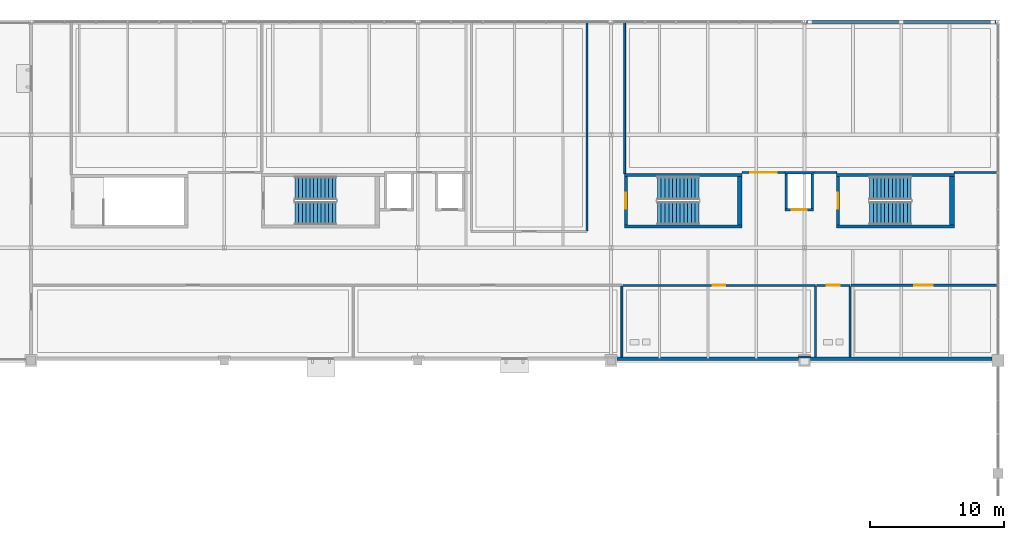
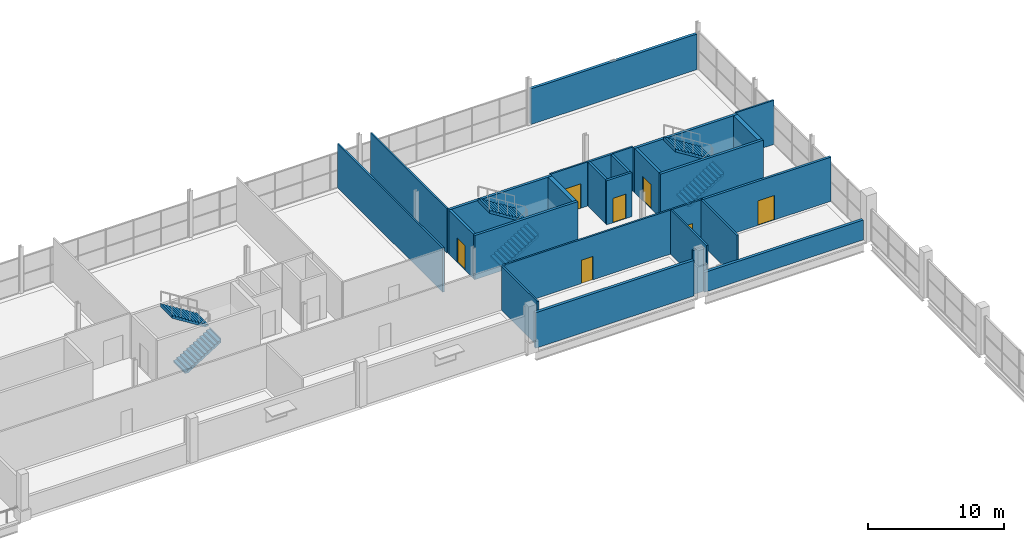
# One storey, part 59 of 68: 27 walls, 7 doors, 6 stair flights, 7 openings, 3 elements without a shape of their own.
"""IFC4 building model written with IfcOpenShell, lengths in metres."""

from ifc_helpers import new_model, si_unit, direction, frame, frame_2d, origin, place, context, subcontext, project, spatial, polyline, rectangle, outline, extrude, material, layer, layer_set, type_object, element, fill, aggregate, save


model = new_model("IFC4")

# Units and contexts
model_context = context("Model", 3, precision=1e-05, world=origin(), true_north=direction((0.0, 1.0)))
body_context = subcontext(model_context, "Body", "Model", "MODEL_VIEW")
ifc_project = project(units=[si_unit("LENGTHUNIT", "METRE"), si_unit("AREAUNIT", "SQUARE_METRE"), si_unit("VOLUMEUNIT", "CUBIC_METRE"), si_unit("PLANEANGLEUNIT", "RADIAN"), si_unit("MASSUNIT", "GRAM", prefix="KILO"), si_unit("THERMODYNAMICTEMPERATUREUNIT", "KELVIN")], contexts=[model_context])

# Site, building, storey
site_placement = place(None, origin())
site = spatial("IfcSite", under=ifc_project, at=site_placement, CompositionType="ELEMENT")
building_placement = place(site_placement, origin())
building = spatial("IfcBuilding", under=site, at=building_placement, Name="Nduvali Passage Aquatics Centre", CompositionType="ELEMENT")
storey_placement = place(building_placement, frame((0.0, 0.0, 13.199951171875)))
storey = spatial("IfcBuildingStorey", under=building, at=storey_placement, Name="L03", CompositionType="ELEMENT", Elevation=13.199951171875)

# Walls
ifc_material_1 = material(Name="Precast concrete C40/50", Category="concrete")
ifc_layer_1 = layer(ifc_material_1, 0.239990234375, Name="Precast concrete C40/50")
ifc_layer_set_1 = layer_set([ifc_layer_1], Name="Precast concrete C40/50")
wall_type_1 = type_object("IfcWallType", Name="ENV-WAL-SPAND240", PredefinedType="STANDARD", material=ifc_layer_set_1)
wall_1_placement = place(storey_placement, frame((125.85009765625, 117.60009765625, 0.0), z_axis=(0.0, 0.0, 1.0), x_axis=(-1.0, 0.0, 0.0)))
element("IfcWall", 1, at=wall_1_placement, inside=storey, type_object=wall_type_1, Name="L03 North Avenue Civic Facade 0071", PredefinedType="STANDARD", context=body_context, shape_type="SweptSolid", body=[
    extrude(rectangle(XDim=14.10009765625, YDim=0.239990234375, at=frame_2d((7.050048828125, 0.0))), origin(), (0.0, 0.0, 1.0), 3.203857421875),
])
wall_2_placement = place(storey_placement, frame((97.64990234375, 92.530029296875, 0.0), z_axis=(0.0, 0.0, 1.0), x_axis=(1.0, 0.0, 0.0)))
element("IfcWall", 2, at=wall_2_placement, inside=storey, type_object=wall_type_1, Name="L03 North Wing South High Overlook Wall 0078", PredefinedType="STANDARD", context=body_context, shape_type="SweptSolid", body=[
    extrude(rectangle(XDim=13.5, YDim=0.239990234375, at=frame_2d((6.75, 0.0))), origin(), (0.0, 0.0, 1.0), 3.203857421875),
])
wall_3_placement = place(storey_placement, frame((112.050048828125, 92.530029296875, 0.0), z_axis=(0.0, 0.0, 1.0), x_axis=(1.0, 0.0, 0.0)))
element("IfcWall", 3, at=wall_3_placement, inside=storey, type_object=wall_type_1, Name="L03 North Wing South High Overlook Wall 0079", PredefinedType="STANDARD", context=body_context, shape_type="SweptSolid", body=[
    extrude(rectangle(XDim=13.5, YDim=0.239990234375, at=frame_2d((6.75, 0.0))), origin(), (0.0, 0.0, 1.0), 1.7900390625),
])

# Wall, opening, door
ifc_material_2 = material(Name="Coral-stone masonry blockwork", Category="masonry")
ifc_layer_2 = layer(ifc_material_2, 0.199951171875, Name="Coral-stone masonry blockwork")
ifc_layer_set_2 = layer_set([ifc_layer_2], Name="Coral-stone masonry blockwork")
wall_type_2 = type_object("IfcWallType", Name="INT-WAL-COMP200", PredefinedType="PARTITIONING", material=ifc_layer_set_2)
wall_4_placement = place(storey_placement, frame((115.074951171875, 98.0, 0.0), z_axis=(0.0, 0.0, 1.0), x_axis=(1.0, 0.0, 0.0)))
wall_4 = element("IfcWall", 4, at=wall_4_placement, inside=storey, type_object=wall_type_2, Name="L03 Competition Records Archive and IT Server Room Partition 0228", PredefinedType="PARTITIONING", context=body_context, shape_type="SweptSolid", body=[
    extrude(rectangle(XDim=10.905029296875, YDim=0.199951171875, at=frame_2d((5.45263671875, 0.0))), origin(), (0.0, 0.0, 1.0), 3.969970703125),
])
opening_1_placement = place(wall_4_placement, frame((4.681884765625, 0.0, 0.0)))
opening_1 = element("IfcOpeningElement", 5, at=opening_1_placement, cuts=wall_4, Name="Opening FD-P1", PredefinedType="OPENING", context=body_context, shape_type="SweptSolid", body=[
    extrude(rectangle(XDim=1.39990234375, YDim=2.199951171875, at=frame_2d((0.699951171875, 1.10009765625))), frame((0.0, 0.11474609375, 0.0), z_axis=(0.0, -1.0, 0.0), x_axis=(1.0, 0.0, 0.0)), (0.0, 0.0, 1.0), 0.229736328125),
])
ifc_material_3 = material(Name="Galvanised steel door", Category="steel")
door_type_1 = type_object("IfcDoorType", Name="INT-DR-PLNT140", OperationType="DOUBLE_DOOR_SINGLE_SWING", PredefinedType="DOOR", material=ifc_material_3)
door_1_placement = place(opening_1_placement, origin())
door_1 = element("IfcDoor", 6, at=door_1_placement, inside=storey, type_object=door_type_1, Name="L03 Competition Records Archive and IT Server Room Door 0078", OperationType="DOUBLE_DOOR_SINGLE_SWING", OverallHeight=2.199951171875, OverallWidth=1.39990234375, PredefinedType="DOOR", context=body_context, shape_type="SweptSolid", body=[
    extrude(rectangle(XDim=1.39990234375, YDim=2.199951171875, at=frame_2d((0.699951171875, 1.10009765625))), frame((0.0, 0.02490234375, 0.0), z_axis=(0.0, -1.0, 0.0), x_axis=(1.0, 0.0, 0.0)), (0.0, 0.0, 1.0), 0.050048828125),
])
fill(opening_1, door_1)

# Walls
ifc_material_4 = material(Name="Concrete C40/50", Category="concrete")
ifc_layer_3 = layer(ifc_material_4, 0.219970703125, Name="Concrete C40/50")
ifc_layer_set_3 = layer_set([ifc_layer_3], Name="Concrete C40/50")
wall_type_3 = type_object("IfcWallType", Name="INT-WAL-CORE220", PredefinedType="SOLIDWALL", material=ifc_layer_set_3)
for number, where, z_axis, x_axis, name in (
    (7, (113.97998046875, 102.389892578125, 0.0), (0.0, 0.0, 1.0), (1.0, 0.0, 0.0), "L03 Stair ST2 Core Wall S"),
    (8, (122.75, 106.199951171875, 0.0), (0.0, 0.0, 1.0), (-1.0, 0.0, 0.0), "L03 Stair ST2 Core Wall N"),
):
    element("IfcWall", number, at=place(storey_placement, frame(where, z_axis=z_axis, x_axis=x_axis)), inside=storey, type_object=wall_type_3, Name=name, PredefinedType="SOLIDWALL", context=body_context, shape_type="SweptSolid", body=[
        extrude(rectangle(XDim=8.77001953125, YDim=0.219970703125, at=frame_2d((4.385009765625, 0.0))), origin(), (0.0, 0.0, 1.0), 3.969970703125),
    ])

# Wall, opening, door
wall_5_placement = place(storey_placement, frame((114.090087890625, 106.090087890625, 0.0), z_axis=(0.0, 0.0, 1.0), x_axis=(0.0, -1.0, 0.0)))
wall_5 = element("IfcWall", 9, at=wall_5_placement, inside=storey, type_object=wall_type_3, Name="L03 Stair ST2 Core Wall W", PredefinedType="SOLIDWALL", context=body_context, shape_type="SweptSolid", body=[
    extrude(rectangle(XDim=3.590087890625, YDim=0.219970703125, at=frame_2d((1.794921875, 0.0))), origin(), (0.0, 0.0, 1.0), 3.969970703125),
])
opening_2_placement = place(wall_5_placement, frame((1.195068359375, 0.0, 0.0)))
opening_2 = element("IfcOpeningElement", 10, at=opening_2_placement, cuts=wall_5, Name="Opening FD-ST2", PredefinedType="OPENING", context=body_context, shape_type="SweptSolid", body=[
    extrude(rectangle(XDim=1.199951171875, YDim=2.199951171875, at=frame_2d((0.60009765625, 1.10009765625))), frame((0.0, 0.125, 0.0), z_axis=(0.0, -1.0, 0.0), x_axis=(1.0, 0.0, 0.0)), (0.0, 0.0, 1.0), 0.249755859375),
])
door_type_2 = type_object("IfcDoorType", Name="INT-DR-ST120", OperationType="NOTDEFINED", PredefinedType="DOOR", material=ifc_material_3)
door_2_placement = place(opening_2_placement, frame((1.199951171875, 0.0, 0.0), z_axis=(0.0, 0.0, 1.0), x_axis=(-1.0, 0.0, 0.0)))
door_2 = element("IfcDoor", 11, at=door_2_placement, inside=storey, type_object=door_type_2, Name="L03 Stair ST2 Fire Lobby Door", OperationType="SINGLE_SWING_RIGHT", OverallHeight=2.199951171875, OverallWidth=1.199951171875, PredefinedType="DOOR", context=body_context, shape_type="SweptSolid", body=[
    extrude(rectangle(XDim=1.199951171875, YDim=2.199951171875, at=frame_2d((0.60009765625, 1.10009765625))), frame((0.0, 0.02490234375, 0.0), z_axis=(0.0, -1.0, 0.0), x_axis=(1.0, 0.0, 0.0)), (0.0, 0.0, 1.0), 0.050048828125),
])
fill(opening_2, door_2)

# Walls
for number, where, z_axis, x_axis, name in (
    (12, (98.179931640625, 102.389892578125, 0.0), (0.0, 0.0, 1.0), (1.0, 0.0, 0.0), "L03 Stair ST11 Core Wall S"),
    (13, (106.949951171875, 106.199951171875, 0.0), (0.0, 0.0, 1.0), (-1.0, 0.0, 0.0), "L03 Stair ST11 Core Wall N"),
):
    element("IfcWall", number, at=place(storey_placement, frame(where, z_axis=z_axis, x_axis=x_axis)), inside=storey, type_object=wall_type_3, Name=name, PredefinedType="SOLIDWALL", context=body_context, shape_type="SweptSolid", body=[
        extrude(rectangle(XDim=8.77001953125, YDim=0.219970703125, at=frame_2d((4.385009765625, 0.0))), origin(), (0.0, 0.0, 1.0), 3.969970703125),
    ])

# Wall, opening, door
wall_6_placement = place(storey_placement, frame((98.2900390625, 106.090087890625, 0.0), z_axis=(0.0, 0.0, 1.0), x_axis=(0.0, -1.0, 0.0)))
wall_6 = element("IfcWall", 14, at=wall_6_placement, inside=storey, type_object=wall_type_3, Name="L03 Stair ST11 Core Wall W", PredefinedType="SOLIDWALL", context=body_context, shape_type="SweptSolid", body=[
    extrude(rectangle(XDim=3.590087890625, YDim=0.219970703125, at=frame_2d((1.794921875, 0.0))), origin(), (0.0, 0.0, 1.0), 3.969970703125),
])
opening_3_placement = place(wall_6_placement, frame((1.195068359375, 0.0, 0.0)))
opening_3 = element("IfcOpeningElement", 15, at=opening_3_placement, cuts=wall_6, Name="Opening FD-ST2", PredefinedType="OPENING", context=body_context, shape_type="SweptSolid", body=[
    extrude(rectangle(XDim=1.199951171875, YDim=2.199951171875, at=frame_2d((0.60009765625, 1.10009765625))), frame((0.0, 0.125, 0.0), z_axis=(0.0, -1.0, 0.0), x_axis=(1.0, 0.0, 0.0)), (0.0, 0.0, 1.0), 0.249755859375),
])
door_3_placement = place(opening_3_placement, frame((1.199951171875, 0.0, 0.0), z_axis=(0.0, 0.0, 1.0), x_axis=(-1.0, 0.0, 0.0)))
door_3 = element("IfcDoor", 16, at=door_3_placement, inside=storey, type_object=door_type_2, Name="L03 Stair ST11 Fire Lobby Door", OperationType="SINGLE_SWING_LEFT", OverallHeight=2.199951171875, OverallWidth=1.199951171875, PredefinedType="DOOR", context=body_context, shape_type="SweptSolid", body=[
    extrude(rectangle(XDim=1.199951171875, YDim=2.199951171875, at=frame_2d((0.60009765625, 1.10009765625))), frame((0.0, 0.02490234375, 0.0), z_axis=(0.0, -1.0, 0.0), x_axis=(1.0, 0.0, 0.0)), (0.0, 0.0, 1.0), 0.050048828125),
])
fill(opening_3, door_3)

# Wall
ifc_material_5 = material(Name="Gypsum acoustic stud partition")
ifc_layer_4 = layer(ifc_material_5, 0.139892578125, Name="Gypsum acoustic stud partition")
ifc_layer_set_4 = layer_set([ifc_layer_4], Name="Gypsum acoustic stud partition")
wall_type_4 = type_object("IfcWallType", Name="INT-WAL-PART140", PredefinedType="PARTITIONING", material=ifc_layer_set_4)
wall_7_placement = place(storey_placement, frame((95.39990234375, 102.070068359375, 0.0), z_axis=(0.0, 0.0, 1.0), x_axis=(0.0, 1.0, 0.0)))
element("IfcWall", 17, at=wall_7_placement, inside=storey, type_object=wall_type_4, Name="L03 Tanzania Aquatics Federation Administration Suite Partition 0211", PredefinedType="PARTITIONING", context=body_context, shape_type="SweptSolid", body=[
    extrude(rectangle(XDim=15.510009765625, YDim=0.139892578125, at=frame_2d((7.7548828125, 0.0))), origin(), (0.0, 0.0, 1.0), 3.969970703125),
])

# Wall, opening, door
wall_8_placement = place(storey_placement, frame((106.949951171875, 106.39990234375, 0.0), z_axis=(0.0, 0.0, 1.0), x_axis=(1.0, 0.0, 0.0)))
wall_8 = element("IfcWall", 18, at=wall_8_placement, inside=storey, type_object=wall_type_4, Name="L03 Youth Aquatic Academy Lecture Room Partition 0212", PredefinedType="PARTITIONING", context=body_context, shape_type="SweptSolid", body=[
    extrude(rectangle(XDim=3.179931640625, YDim=0.139892578125, at=frame_2d((1.58984375, 0.0))), origin(), (0.0, 0.0, 1.0), 3.969970703125),
])
opening_4_placement = place(wall_8_placement, frame((0.594970703125, 0.0, 0.0)))
opening_4 = element("IfcOpeningElement", 19, at=opening_4_placement, cuts=wall_8, Name="Opening ID5", PredefinedType="OPENING", context=body_context, shape_type="SweptSolid", body=[
    extrude(rectangle(XDim=2.0, YDim=2.199951171875, at=frame_2d((1.0, 1.10009765625))), frame((0.0, 0.0849609375, 0.0), z_axis=(0.0, -1.0, 0.0), x_axis=(1.0, 0.0, 0.0)), (0.0, 0.0, 1.0), 0.169677734375),
])
ifc_material_6 = material(Name="Aluminium-framed glazed door", Category="aluminium")
door_type_3 = type_object("IfcDoorType", Name="INT-DR-DBL200", OperationType="DOUBLE_DOOR_SINGLE_SWING", PredefinedType="DOOR", material=ifc_material_6)
door_4_placement = place(opening_4_placement, frame((2.0, 0.0, 0.0), z_axis=(0.0, 0.0, 1.0), x_axis=(-1.0, 0.0, 0.0)))
door_4 = element("IfcDoor", 20, at=door_4_placement, inside=storey, type_object=door_type_3, Name="L03 Youth Aquatic Academy Lecture Room Door 0073", OperationType="DOUBLE_DOOR_SINGLE_SWING", OverallHeight=2.199951171875, OverallWidth=2.0, PredefinedType="DOOR", context=body_context, shape_type="SweptSolid", body=[
    extrude(rectangle(XDim=2.0, YDim=2.199951171875, at=frame_2d((1.0, 1.10009765625))), frame((0.0, 0.02490234375, 0.0), z_axis=(0.0, -1.0, 0.0), x_axis=(1.0, 0.0, 0.0)), (0.0, 0.0, 1.0), 0.050048828125),
])
fill(opening_4, door_4)

# Walls
wall_9_placement = place(storey_placement, frame((112.27001953125, 106.39990234375, 0.0), z_axis=(0.0, 0.0, 1.0), x_axis=(1.0, 0.0, 0.0)))
element("IfcWall", 21, at=wall_9_placement, inside=storey, type_object=wall_type_4, Name="L03 Youth Aquatic Academy Lecture Room Partition 0213", PredefinedType="PARTITIONING", context=body_context, shape_type="SweptSolid", body=[
    extrude(rectangle(XDim=1.7099609375, YDim=0.139892578125, at=frame_2d((0.85498046875, 0.0))), origin(), (0.0, 0.0, 1.0), 3.969970703125),
])
wall_10_placement = place(storey_placement, frame((122.75, 106.39990234375, 0.0), z_axis=(0.0, 0.0, 1.0), x_axis=(1.0, 0.0, 0.0)))
element("IfcWall", 22, at=wall_10_placement, inside=storey, type_object=wall_type_4, Name="L03 Youth Aquatic Academy Lecture Room Partition 0214", PredefinedType="PARTITIONING", context=body_context, shape_type="SweptSolid", body=[
    extrude(rectangle(XDim=3.22998046875, YDim=0.139892578125, at=frame_2d((1.614990234375, 0.0))), origin(), (0.0, 0.0, 1.0), 3.969970703125),
])
wall_11_placement = place(storey_placement, frame((98.199951171875, 106.31005859375, 0.0), z_axis=(0.0, 0.0, 1.0), x_axis=(0.0, 1.0, 0.0)))
element("IfcWall", 23, at=wall_11_placement, inside=storey, type_object=wall_type_4, Name="L03 Youth Aquatic Academy Lecture Room Partition 0215", PredefinedType="PARTITIONING", context=body_context, shape_type="SweptSolid", body=[
    extrude(rectangle(XDim=11.27001953125, YDim=0.139892578125, at=frame_2d((5.635009765625, 0.0))), origin(), (0.0, 0.0, 1.0), 3.969970703125),
])
wall_12_placement = place(storey_placement, frame((98.0, 92.64990234375, 0.0), z_axis=(0.0, 0.0, 1.0), x_axis=(0.0, 1.0, 0.0)))
element("IfcWall", 24, at=wall_12_placement, inside=storey, type_object=wall_type_4, Name="L03 Championship Organising Committee Boardroom Partition 0222", PredefinedType="PARTITIONING", context=body_context, shape_type="SweptSolid", body=[
    extrude(rectangle(XDim=5.280029296875, YDim=0.139892578125, at=frame_2d((2.64013671875, 0.0))), origin(), (0.0, 0.0, 1.0), 3.969970703125),
])

# Wall, opening, door
ifc_layer_5 = layer(ifc_material_4, 0.18994140625, Name="Concrete C40/50")
ifc_layer_set_5 = layer_set([ifc_layer_5], Name="Concrete C40/50")
wall_type_5 = type_object("IfcWallType", Name="INT-WAL-SHAFT200", PredefinedType="SOLIDWALL", material=ifc_layer_set_5)
wall_13_placement = place(storey_placement, frame((110.1298828125, 103.625, 0.0), z_axis=(0.0, 0.0, 1.0), x_axis=(1.0, 0.0, 0.0)))
wall_13 = element("IfcWall", 25, at=wall_13_placement, inside=storey, type_object=wall_type_5, Name="L03 Lift L3 Shaft Wall S", PredefinedType="SOLIDWALL", context=body_context, shape_type="SweptSolid", body=[
    extrude(rectangle(XDim=2.14013671875, YDim=0.18994140625, at=frame_2d((1.070068359375, 0.0))), origin(), (0.0, 0.0, 1.0), 3.969970703125),
])
opening_5_placement = place(wall_13_placement, frame((0.52001953125, 0.0, 0.0)))
opening_5 = element("IfcOpeningElement", 26, at=opening_5_placement, cuts=wall_13, Name="Opening LD3", PredefinedType="OPENING", context=body_context, shape_type="SweptSolid", body=[
    extrude(rectangle(XDim=1.10009765625, YDim=2.199951171875, at=frame_2d((0.550048828125, 1.10009765625))), frame((0.0, 0.10986328125, 0.0), z_axis=(0.0, -1.0, 0.0), x_axis=(1.0, 0.0, 0.0)), (0.0, 0.0, 1.0), 0.2197265625),
])
ifc_material_7 = material(Name="Stainless steel landing door", Category="steel")
door_type_4 = type_object("IfcDoorType", Name="INT-DR-LD3", OperationType="DOUBLE_DOOR_SLIDING", PredefinedType="DOOR", material=ifc_material_7)
door_5_placement = place(opening_5_placement, origin())
door_5 = element("IfcDoor", 27, at=door_5_placement, inside=storey, type_object=door_type_4, Name="L03 Lift L3 Sliding Landing Door LD3", OperationType="DOUBLE_DOOR_SLIDING", OverallHeight=2.199951171875, OverallWidth=1.10009765625, PredefinedType="DOOR", context=body_context, shape_type="SweptSolid", body=[
    extrude(rectangle(XDim=1.10009765625, YDim=2.199951171875, at=frame_2d((0.550048828125, 1.10009765625))), frame((0.0, 0.02490234375, 0.0), z_axis=(0.0, -1.0, 0.0), x_axis=(1.0, 0.0, 0.0)), (0.0, 0.0, 1.0), 0.050048828125),
])
fill(opening_5, door_5)

# Walls
wall_14_placement = place(storey_placement, frame((112.175048828125, 103.719970703125, 0.0), z_axis=(0.0, 0.0, 1.0), x_axis=(0.0, 1.0, 0.0)))
element("IfcWall", 28, at=wall_14_placement, inside=storey, type_object=wall_type_5, Name="L03 Lift L3 Shaft Wall E", PredefinedType="SOLIDWALL", context=body_context, shape_type="SweptSolid", body=[
    extrude(rectangle(XDim=2.56005859375, YDim=0.18994140625, at=frame_2d((1.280029296875, 0.0))), origin(), (0.0, 0.0, 1.0), 3.969970703125),
])
wall_15_placement = place(storey_placement, frame((112.27001953125, 106.375, 0.0), z_axis=(0.0, 0.0, 1.0), x_axis=(-1.0, 0.0, 0.0)))
element("IfcWall", 29, at=wall_15_placement, inside=storey, type_object=wall_type_5, Name="L03 Lift L3 Shaft Wall N", PredefinedType="SOLIDWALL", context=body_context, shape_type="SweptSolid", body=[
    extrude(rectangle(XDim=2.14013671875, YDim=0.18994140625, at=frame_2d((1.070068359375, 0.0))), origin(), (0.0, 0.0, 1.0), 3.969970703125),
])
wall_16_placement = place(storey_placement, frame((110.22509765625, 106.280029296875, 0.0), z_axis=(0.0, 0.0, 1.0), x_axis=(0.0, -1.0, 0.0)))
element("IfcWall", 30, at=wall_16_placement, inside=storey, type_object=wall_type_5, Name="L03 Lift L3 Shaft Wall W", PredefinedType="SOLIDWALL", context=body_context, shape_type="SweptSolid", body=[
    extrude(rectangle(XDim=2.56005859375, YDim=0.18994140625, at=frame_2d((1.280029296875, 0.0))), origin(), (0.0, 0.0, 1.0), 3.969970703125),
])

# Wall, opening, door
ifc_layer_6 = layer(ifc_material_2, 0.14990234375, Name="Coral-stone masonry blockwork")
ifc_layer_set_6 = layer_set([ifc_layer_6], Name="Coral-stone masonry blockwork")
wall_type_6 = type_object("IfcWallType", Name="INT-WAL-WET150", PredefinedType="PLUMBINGWALL", material=ifc_layer_set_6)
wall_17_placement = place(storey_placement, frame((98.070068359375, 98.0, 0.0), z_axis=(0.0, 0.0, 1.0), x_axis=(1.0, 0.0, 0.0)))
wall_17 = element("IfcWall", 31, at=wall_17_placement, inside=storey, type_object=wall_type_6, Name="L03 L03 Teaching and Staff Toilets Partition 0223", PredefinedType="PLUMBINGWALL", context=body_context, shape_type="SweptSolid", body=[
    extrude(rectangle(XDim=14.329833984375, YDim=0.14990234375, at=frame_2d((7.1650390625, 0.0))), origin(), (0.0, 0.0, 1.0), 3.969970703125),
])
opening_6_placement = place(wall_17_placement, frame((6.68994140625, 0.0, 0.0)))
opening_6 = element("IfcOpeningElement", 32, at=opening_6_placement, cuts=wall_17, Name="Opening ID3", PredefinedType="OPENING", context=body_context, shape_type="SweptSolid", body=[
    extrude(rectangle(XDim=0.949951171875, YDim=2.10009765625, at=frame_2d((0.47509765625, 1.050048828125))), frame((0.0, 0.08984375, 0.0), z_axis=(0.0, -1.0, 0.0), x_axis=(1.0, 0.0, 0.0)), (0.0, 0.0, 1.0), 0.1796875),
])
ifc_material_8 = material(Name="Timber solid-core door", Category="wood")
door_type_5 = type_object("IfcDoorType", Name="INT-DR-WC95", OperationType="NOTDEFINED", PredefinedType="DOOR", material=ifc_material_8)
door_6_placement = place(opening_6_placement, origin())
door_6 = element("IfcDoor", 33, at=door_6_placement, inside=storey, type_object=door_type_5, Name="L03 L03 Teaching and Staff Toilets Door 0076", OperationType="SINGLE_SWING_LEFT", OverallHeight=2.10009765625, OverallWidth=0.949951171875, PredefinedType="DOOR", context=body_context, shape_type="SweptSolid", body=[
    extrude(rectangle(XDim=0.949951171875, YDim=2.10009765625, at=frame_2d((0.47509765625, 1.050048828125))), frame((0.0, 0.02490234375, 0.0), z_axis=(0.0, -1.0, 0.0), x_axis=(1.0, 0.0, 0.0)), (0.0, 0.0, 1.0), 0.050048828125),
])
fill(opening_6, door_6)

# Walls
wall_18_placement = place(storey_placement, frame((111.14990234375, 92.659912109375, 0.0), z_axis=(0.0, 0.0, 1.0), x_axis=(1.0, 0.0, 0.0)))
element("IfcWall", 34, at=wall_18_placement, inside=storey, type_object=wall_type_6, Name="L03 L03 Teaching and Staff Toilets Partition 0224", PredefinedType="PLUMBINGWALL", context=body_context, shape_type="SweptSolid", body=[
    extrude(rectangle(XDim=0.900146484375, YDim=0.14990234375, at=frame_2d((0.4501953125, 0.0))), origin(), (0.0, 0.0, 1.0), 3.969970703125),
])
wall_19_placement = place(storey_placement, frame((112.39990234375, 92.64990234375, 0.0), z_axis=(0.0, 0.0, 1.0), x_axis=(0.0, 1.0, 0.0)))
element("IfcWall", 35, at=wall_19_placement, inside=storey, type_object=wall_type_6, Name="L03 L03 Teaching and Staff Toilets Partition 0225", PredefinedType="PLUMBINGWALL", context=body_context, shape_type="SweptSolid", body=[
    extrude(rectangle(XDim=5.275146484375, YDim=0.14990234375, at=frame_2d((2.6376953125, 0.0))), origin(), (0.0, 0.0, 1.0), 3.969970703125),
])

# Wall, opening, door
wall_20_placement = place(storey_placement, frame((112.47509765625, 98.0, 0.0), z_axis=(0.0, 0.0, 1.0), x_axis=(1.0, 0.0, 0.0)))
wall_20 = element("IfcWall", 36, at=wall_20_placement, inside=storey, type_object=wall_type_6, Name="L03 L03 Accessible WC Partition 0226", PredefinedType="PLUMBINGWALL", context=body_context, shape_type="SweptSolid", body=[
    extrude(rectangle(XDim=2.52490234375, YDim=0.14990234375, at=frame_2d((1.262451171875, 0.0))), origin(), (0.0, 0.0, 1.0), 3.969970703125),
])
opening_7_placement = place(wall_20_placement, frame((0.787109375, 0.0, 0.0)))
opening_7 = element("IfcOpeningElement", 37, at=opening_7_placement, cuts=wall_20, Name="Opening ID3", PredefinedType="OPENING", context=body_context, shape_type="SweptSolid", body=[
    extrude(rectangle(XDim=0.949951171875, YDim=2.10009765625, at=frame_2d((0.47509765625, 1.050048828125))), frame((0.0, 0.08984375, 0.0), z_axis=(0.0, -1.0, 0.0), x_axis=(1.0, 0.0, 0.0)), (0.0, 0.0, 1.0), 0.1796875),
])
door_7_placement = place(opening_7_placement, frame((0.949951171875, 0.0, 0.0), z_axis=(0.0, 0.0, 1.0), x_axis=(-1.0, 0.0, 0.0)))
door_7 = element("IfcDoor", 38, at=door_7_placement, inside=storey, type_object=door_type_5, Name="L03 L03 Accessible WC Door 0077", OperationType="SINGLE_SWING_RIGHT", OverallHeight=2.10009765625, OverallWidth=0.949951171875, PredefinedType="DOOR", context=body_context, shape_type="SweptSolid", body=[
    extrude(rectangle(XDim=0.949951171875, YDim=2.10009765625, at=frame_2d((0.47509765625, 1.050048828125))), frame((0.0, 0.02490234375, 0.0), z_axis=(0.0, -1.0, 0.0), x_axis=(1.0, 0.0, 0.0)), (0.0, 0.0, 1.0), 0.050048828125),
])
fill(opening_7, door_7)

# Walls
wall_21_placement = place(storey_placement, frame((115.0, 92.64990234375, 0.0), z_axis=(0.0, 0.0, 1.0), x_axis=(0.0, 1.0, 0.0)))
element("IfcWall", 39, at=wall_21_placement, inside=storey, type_object=wall_type_6, Name="L03 L03 Accessible WC Partition 0227", PredefinedType="PLUMBINGWALL", context=body_context, shape_type="SweptSolid", body=[
    extrude(rectangle(XDim=5.275146484375, YDim=0.14990234375, at=frame_2d((2.6376953125, 0.0))), origin(), (0.0, 0.0, 1.0), 3.969970703125),
])
ifc_layer_7 = layer(ifc_material_4, 0.35009765625, Name="Concrete C40/50")
ifc_layer_set_7 = layer_set([ifc_layer_7], Name="Concrete C40/50")
wall_type_7 = type_object("IfcWallType", Name="STR-WAL-SHR350", PredefinedType="SHEAR", material=ifc_layer_set_7)
for number, where, z_axis, x_axis, name in (
    (40, (122.574951171875, 102.5, 0.0), (0.0, 0.0, 1.0), (0.0, 1.0, 0.0), "L03 Stair ST2 Core Shear Wall E"),
    (41, (106.77490234375, 102.5, 0.0), (0.0, 0.0, 1.0), (0.0, 1.0, 0.0), "L03 Stair ST11 Core Shear Wall E"),
):
    element("IfcWall", number, at=place(storey_placement, frame(where, z_axis=z_axis, x_axis=x_axis)), inside=storey, type_object=wall_type_7, Name=name, PredefinedType="SHEAR", context=body_context, shape_type="SweptSolid", body=[
        extrude(rectangle(XDim=3.590087890625, YDim=0.35009765625, at=frame_2d((1.794921875, 0.0))), origin(), (0.0, 0.0, 1.0), 3.969970703125),
    ])

# Stair, stair flights
stair_type = type_object("IfcStairType", Name="INT-STR-CORE172", PredefinedType="HALF_TURN_STAIR", material=ifc_material_4)
stair_1_placement = place(storey_placement, origin())
stair_1 = element("IfcStair", 42, at=stair_1_placement, inside=storey, type_object=stair_type, Name="L03 ST1", PredefinedType="HALF_TURN_STAIR")
stair_flight_type = type_object("IfcStairFlightType", Name="INT-FLT-172", PredefinedType="STRAIGHT", material=ifc_material_4)
stair_flight_1_placement = place(storey_placement, frame((73.64990234375, 103.360107421875, 0.0), z_axis=(0.0, 0.0, 1.0), x_axis=(1.0, 0.0, 0.0)))
stair_flight_1 = element("IfcStairFlight", 43, at=stair_flight_1_placement, type_object=stair_flight_type, Name="ST1 flight 1", NumberOfRisers=12, NumberOfTreads=11, PredefinedType="STRAIGHT", RiserHeight=0.175, TreadLength=0.28, context=body_context, shape_type="SweptSolid", body=[
    extrude(outline(polyline([(0.0, 0.0), (0.0, 0.175048828125), (0.280029296875, 0.175048828125), (0.280029296875, 0.35009765625), (0.56005859375, 0.35009765625), (0.56005859375, 0.52490234375), (0.840087890625, 0.52490234375), (0.840087890625, 0.699951171875), (1.1201171875, 0.699951171875), (1.1201171875, 0.875), (1.39990234375, 0.875), (1.39990234375, 1.050048828125), (1.679931640625, 1.050048828125), (1.679931640625, 1.22509765625), (1.9599609375, 1.22509765625), (1.9599609375, 1.39990234375), (2.239990234375, 1.39990234375), (2.239990234375, 1.574951171875), (2.52001953125, 1.574951171875), (2.52001953125, 1.75), (2.800048828125, 1.75), (2.800048828125, 1.925048828125), (3.080078125, 1.925048828125), (3.080078125, 2.10009765625), (3.080810546875, 2.10009765625), (3.080810546875, 1.89990234375), (3.080078125, 1.748291015625), (0.28271484375, 0.0), (0.0, 0.0)])), frame((0.0, 0.85986328125, 0.0), z_axis=(0.0, -1.0, 0.0), x_axis=(1.0, 0.0, 0.0)), (0.0, 0.0, 1.0), 1.719970703125),
])
stair_flight_2_placement = place(storey_placement, frame((76.72998046875, 105.22998046875, 2.10009765625), z_axis=(0.0, 0.0, 1.0), x_axis=(-1.0, 0.0, 0.0)))
stair_flight_2 = element("IfcStairFlight", 44, at=stair_flight_2_placement, type_object=stair_flight_type, Name="ST1 flight 2", NumberOfRisers=12, NumberOfTreads=11, PredefinedType="STRAIGHT", RiserHeight=0.175, TreadLength=0.28, context=body_context, shape_type="SweptSolid", body=[
    extrude(outline(polyline([(0.0, 0.0), (0.0, 0.175048828125), (0.280029296875, 0.175048828125), (0.280029296875, 0.35009765625), (0.56005859375, 0.35009765625), (0.56005859375, 0.52490234375), (0.840087890625, 0.52490234375), (0.840087890625, 0.699951171875), (1.1201171875, 0.699951171875), (1.1201171875, 0.875), (1.39990234375, 0.875), (1.39990234375, 1.050048828125), (1.679931640625, 1.050048828125), (1.679931640625, 1.22509765625), (1.9599609375, 1.22509765625), (1.9599609375, 1.39990234375), (2.239990234375, 1.39990234375), (2.239990234375, 1.574951171875), (2.52001953125, 1.574951171875), (2.52001953125, 1.75), (2.800048828125, 1.75), (2.800048828125, 1.925048828125), (3.080078125, 1.925048828125), (3.080078125, 2.10009765625), (3.080810546875, 2.10009765625), (3.080810546875, 1.89990234375), (3.080078125, 1.748291015625), (0.28271484375, 0.0), (0.0, 0.0)])), frame((0.0, 0.85986328125, 0.0), z_axis=(0.0, -1.0, 0.0), x_axis=(1.0, 0.0, 0.0)), (0.0, 0.0, 1.0), 1.719970703125),
])
aggregate(stair_1, [stair_flight_1, stair_flight_2])

stair_2_placement = place(storey_placement, origin())
stair_2 = element("IfcStair", 45, at=stair_2_placement, inside=storey, type_object=stair_type, Name="L03 ST2", PredefinedType="HALF_TURN_STAIR")
stair_flight_3_placement = place(storey_placement, frame((116.449951171875, 103.360107421875, 0.0), z_axis=(0.0, 0.0, 1.0), x_axis=(1.0, 0.0, 0.0)))
stair_flight_3 = element("IfcStairFlight", 46, at=stair_flight_3_placement, type_object=stair_flight_type, Name="ST2 flight 1", NumberOfRisers=12, NumberOfTreads=11, PredefinedType="STRAIGHT", RiserHeight=0.175, TreadLength=0.28, context=body_context, shape_type="SweptSolid", body=[
    extrude(outline(polyline([(0.0, 0.0), (0.0, 0.175048828125), (0.280029296875, 0.175048828125), (0.280029296875, 0.35009765625), (0.56005859375, 0.35009765625), (0.56005859375, 0.52490234375), (0.840087890625, 0.52490234375), (0.840087890625, 0.699951171875), (1.1201171875, 0.699951171875), (1.1201171875, 0.875), (1.39990234375, 0.875), (1.39990234375, 1.050048828125), (1.679931640625, 1.050048828125), (1.679931640625, 1.22509765625), (1.9599609375, 1.22509765625), (1.9599609375, 1.39990234375), (2.239990234375, 1.39990234375), (2.239990234375, 1.574951171875), (2.52001953125, 1.574951171875), (2.52001953125, 1.75), (2.800048828125, 1.75), (2.800048828125, 1.925048828125), (3.080078125, 1.925048828125), (3.080078125, 2.10009765625), (3.080810546875, 2.10009765625), (3.080810546875, 1.89990234375), (3.080078125, 1.748291015625), (0.28271484375, 0.0), (0.0, 0.0)])), frame((0.0, 0.85986328125, 0.0), z_axis=(0.0, -1.0, 0.0), x_axis=(1.0, 0.0, 0.0)), (0.0, 0.0, 1.0), 1.719970703125),
])
stair_flight_4_placement = place(storey_placement, frame((119.530029296875, 105.22998046875, 2.10009765625), z_axis=(0.0, 0.0, 1.0), x_axis=(-1.0, 0.0, 0.0)))
stair_flight_4 = element("IfcStairFlight", 47, at=stair_flight_4_placement, type_object=stair_flight_type, Name="ST2 flight 2", NumberOfRisers=12, NumberOfTreads=11, PredefinedType="STRAIGHT", RiserHeight=0.175, TreadLength=0.28, context=body_context, shape_type="SweptSolid", body=[
    extrude(outline(polyline([(0.0, 0.0), (0.0, 0.175048828125), (0.280029296875, 0.175048828125), (0.280029296875, 0.35009765625), (0.56005859375, 0.35009765625), (0.56005859375, 0.52490234375), (0.840087890625, 0.52490234375), (0.840087890625, 0.699951171875), (1.1201171875, 0.699951171875), (1.1201171875, 0.875), (1.39990234375, 0.875), (1.39990234375, 1.050048828125), (1.679931640625, 1.050048828125), (1.679931640625, 1.22509765625), (1.9599609375, 1.22509765625), (1.9599609375, 1.39990234375), (2.239990234375, 1.39990234375), (2.239990234375, 1.574951171875), (2.52001953125, 1.574951171875), (2.52001953125, 1.75), (2.800048828125, 1.75), (2.800048828125, 1.925048828125), (3.080078125, 1.925048828125), (3.080078125, 2.10009765625), (3.080810546875, 2.10009765625), (3.080810546875, 1.89990234375), (3.080078125, 1.748291015625), (0.28271484375, 0.0), (0.0, 0.0)])), frame((0.0, 0.85986328125, 0.0), z_axis=(0.0, -1.0, 0.0), x_axis=(1.0, 0.0, 0.0)), (0.0, 0.0, 1.0), 1.719970703125),
])
aggregate(stair_2, [stair_flight_3, stair_flight_4])

stair_3_placement = place(storey_placement, origin())
stair_3 = element("IfcStair", 48, at=stair_3_placement, inside=storey, type_object=stair_type, Name="L03 ST11", PredefinedType="HALF_TURN_STAIR")
stair_flight_5_placement = place(storey_placement, frame((100.64990234375, 103.360107421875, 0.0), z_axis=(0.0, 0.0, 1.0), x_axis=(1.0, 0.0, 0.0)))
stair_flight_5 = element("IfcStairFlight", 49, at=stair_flight_5_placement, type_object=stair_flight_type, Name="ST11 flight 1", NumberOfRisers=12, NumberOfTreads=11, PredefinedType="STRAIGHT", RiserHeight=0.175, TreadLength=0.28, context=body_context, shape_type="SweptSolid", body=[
    extrude(outline(polyline([(0.0, 0.0), (0.0, 0.175048828125), (0.280029296875, 0.175048828125), (0.280029296875, 0.35009765625), (0.56005859375, 0.35009765625), (0.56005859375, 0.52490234375), (0.840087890625, 0.52490234375), (0.840087890625, 0.699951171875), (1.1201171875, 0.699951171875), (1.1201171875, 0.875), (1.39990234375, 0.875), (1.39990234375, 1.050048828125), (1.679931640625, 1.050048828125), (1.679931640625, 1.22509765625), (1.9599609375, 1.22509765625), (1.9599609375, 1.39990234375), (2.239990234375, 1.39990234375), (2.239990234375, 1.574951171875), (2.52001953125, 1.574951171875), (2.52001953125, 1.75), (2.800048828125, 1.75), (2.800048828125, 1.925048828125), (3.080078125, 1.925048828125), (3.080078125, 2.10009765625), (3.080810546875, 2.10009765625), (3.080810546875, 1.89990234375), (3.080078125, 1.748291015625), (0.28271484375, 0.0), (0.0, 0.0)])), frame((0.0, 0.85986328125, 0.0), z_axis=(0.0, -1.0, 0.0), x_axis=(1.0, 0.0, 0.0)), (0.0, 0.0, 1.0), 1.719970703125),
])
stair_flight_6_placement = place(storey_placement, frame((103.72998046875, 105.22998046875, 2.10009765625), z_axis=(0.0, 0.0, 1.0), x_axis=(-1.0, 0.0, 0.0)))
stair_flight_6 = element("IfcStairFlight", 50, at=stair_flight_6_placement, type_object=stair_flight_type, Name="ST11 flight 2", NumberOfRisers=12, NumberOfTreads=11, PredefinedType="STRAIGHT", RiserHeight=0.175, TreadLength=0.28, context=body_context, shape_type="SweptSolid", body=[
    extrude(outline(polyline([(0.0, 0.0), (0.0, 0.175048828125), (0.280029296875, 0.175048828125), (0.280029296875, 0.35009765625), (0.56005859375, 0.35009765625), (0.56005859375, 0.52490234375), (0.840087890625, 0.52490234375), (0.840087890625, 0.699951171875), (1.1201171875, 0.699951171875), (1.1201171875, 0.875), (1.39990234375, 0.875), (1.39990234375, 1.050048828125), (1.679931640625, 1.050048828125), (1.679931640625, 1.22509765625), (1.9599609375, 1.22509765625), (1.9599609375, 1.39990234375), (2.239990234375, 1.39990234375), (2.239990234375, 1.574951171875), (2.52001953125, 1.574951171875), (2.52001953125, 1.75), (2.800048828125, 1.75), (2.800048828125, 1.925048828125), (3.080078125, 1.925048828125), (3.080078125, 2.10009765625), (3.080810546875, 2.10009765625), (3.080810546875, 1.89990234375), (3.080078125, 1.748291015625), (0.28271484375, 0.0), (0.0, 0.0)])), frame((0.0, 0.85986328125, 0.0), z_axis=(0.0, -1.0, 0.0), x_axis=(1.0, 0.0, 0.0)), (0.0, 0.0, 1.0), 1.719970703125),
])
aggregate(stair_3, [stair_flight_5, stair_flight_6])

save(model, "model.ifc")
